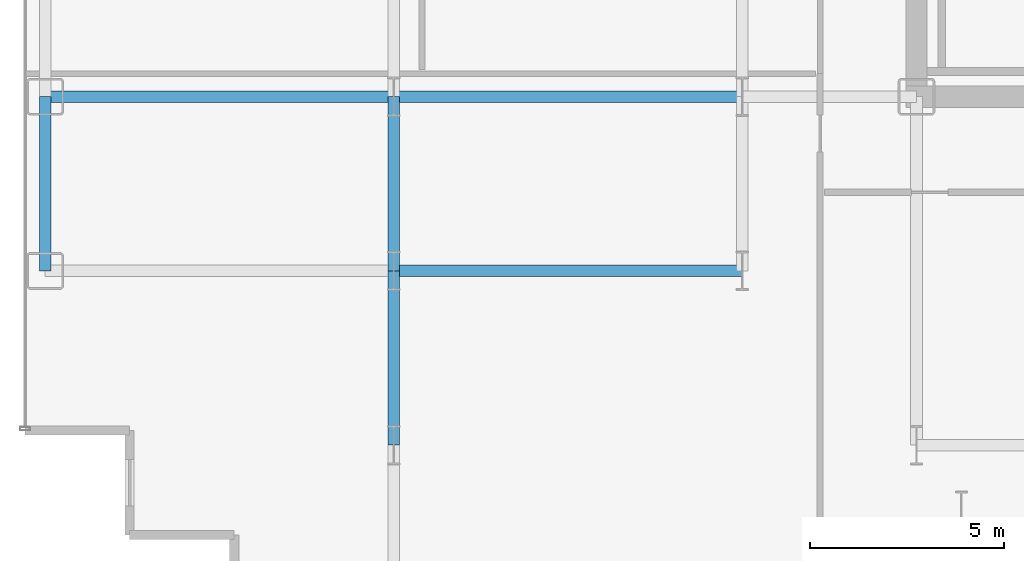
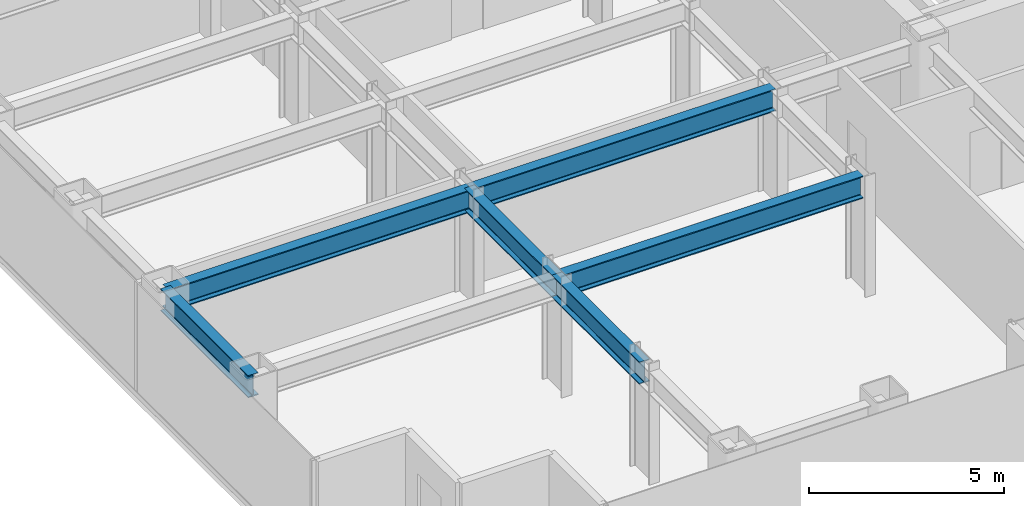
# One storey, part 3 of 25: 6 beams.
"""IFC4 building model written with IfcOpenShell, lengths in metres."""

from ifc_helpers import new_model, si_unit, direction, frame, origin, origin_2d, place, context, subcontext, project, spatial, i_section, extrude, source, transform, mapped, material, material_profile, profile_set, type_object, element, save


model = new_model("IFC4")

# Units and contexts
model_context = context("Model", 3, precision=1e-05, world=origin(), true_north=direction((0.0, 1.0)))
body_context = subcontext(model_context, "Body", "Model", "MODEL_VIEW")
ifc_project = project(units=[si_unit("LENGTHUNIT", "METRE"), si_unit("AREAUNIT", "SQUARE_METRE"), si_unit("VOLUMEUNIT", "CUBIC_METRE"), si_unit("PLANEANGLEUNIT", "RADIAN"), si_unit("MASSUNIT", "GRAM", prefix="KILO")], contexts=[model_context])

# Site, building, storey
site_placement = place(None, origin())
site = spatial("IfcSite", under=ifc_project, at=site_placement, CompositionType="ELEMENT")
building_placement = place(site_placement, origin())
building = spatial("IfcBuilding", under=site, at=building_placement, Name="Nefas-Gora Pilgrimage Tower", CompositionType="ELEMENT")
storey_placement = place(building_placement, frame((0.0, 0.0, 98.39990234375)))
storey = spatial("IfcBuildingStorey", under=building, at=storey_placement, Name="L23", CompositionType="ELEMENT", Elevation=98.39990234375)

# Beams
ifc_material = material(Name="Steel S355", Category="steel")
ifc_material_profile_1 = material_profile(ifc_material, i_section(OverallWidth=0.300048828125, OverallDepth=0.699951171875, WebThickness=0.01708984375, FlangeThickness=0.031982421875, FilletRadius=0.027099609375, at=origin_2d()), Name="HEB 700")
ifc_profile_set_1 = profile_set([ifc_material_profile_1], Name="Steel S355")
beam_type_1 = type_object("IfcBeamType", Name="BM-SPN-HEB600", PredefinedType="SPANDREL", material=ifc_profile_set_1)
shared_shape_1 = source(origin(), body_context, "Body", "SweptSolid", [
    extrude(i_section(OverallWidth=0.300048828125, OverallDepth=0.699951171875, WebThickness=0.01708984375, FlangeThickness=0.031982421875, FilletRadius=0.027099609375, at=origin_2d()), origin(), (0.0, 0.0, 1.0), 4.5),
])
beam_placement = place(storey_placement, frame((-33.75, -13.5, 3.2001953125), z_axis=(0.0, 1.0, 0.0), x_axis=(-1.0, 0.0, 0.0)))
element("IfcBeam", 1, at=beam_placement, inside=storey, type_object=beam_type_1, Name="L23 SP-01 beam", PredefinedType="SPANDREL", context=body_context, shape_type="MappedRepresentation", body=[
    mapped(shared_shape_1, transform((0.0, 0.0, 0.0), x_axis=(1.0, 0.0, 0.0), y_axis=(0.0, 1.0, 0.0), z_axis=(0.0, 0.0, 1.0), scale=1.0)),
])
ifc_material_profile_2 = material_profile(ifc_material, i_section(OverallWidth=0.300048828125, OverallDepth=0.699951171875, WebThickness=0.01708984375, FlangeThickness=0.031982421875, FilletRadius=0.027099609375, at=origin_2d()), Name="HEB 700")
ifc_profile_set_2 = profile_set([ifc_material_profile_2], Name="Steel S355")
beam_type_2 = type_object("IfcBeamType", Name="BM-GIR-HEB700", PredefinedType="BEAM", material=ifc_profile_set_2)
shared_shape_2 = source(origin(), body_context, "Body", "SweptSolid", [
    extrude(i_section(OverallWidth=0.300048828125, OverallDepth=0.699951171875, WebThickness=0.01708984375, FlangeThickness=0.031982421875, FilletRadius=0.027099609375, at=origin_2d()), origin(), (0.0, 0.0, 1.0), 9.0),
])
for number, where, z_axis, x_axis, name in (
    (2, (-33.75, -9.0, 3.2001953125), (1.0, 0.0, 0.0), (0.0, 1.0, 0.0), "L23 G-02 beam"),
    (3, (-24.75, -13.5, 3.2001953125), (1.0, 0.0, 0.0), (0.0, 1.0, 0.0), "L23 G-02 beam"),
    (4, (-24.75, -9.0, 3.2001953125), (1.0, 0.0, 0.0), (0.0, 1.0, 0.0), "L23 G-02 beam"),
):
    element("IfcBeam", number, at=place(storey_placement, frame(where, z_axis=z_axis, x_axis=x_axis)), inside=storey, type_object=beam_type_2, Name=name, PredefinedType="BEAM", context=body_context, shape_type="MappedRepresentation", body=[
        mapped(shared_shape_2, transform((0.0, 0.0, 0.0), x_axis=(1.0, 0.0, 0.0), y_axis=(0.0, 1.0, 0.0), z_axis=(0.0, 0.0, 1.0), scale=1.0)),
    ])
shared_shape_3 = source(origin(), body_context, "Body", "SweptSolid", [
    extrude(i_section(OverallWidth=0.300048828125, OverallDepth=0.699951171875, WebThickness=0.01708984375, FlangeThickness=0.031982421875, FilletRadius=0.027099609375, at=origin_2d()), origin(), (0.0, 0.0, 1.0), 4.5),
])
for number, where, z_axis, x_axis, name in (
    (5, (-24.75, -18.0, 3.2001953125), (0.0, 1.0, 0.0), (-1.0, 0.0, 0.0), "L23 G-02 beam"),
    (6, (-24.75, -13.5, 3.2001953125), (0.0, 1.0, 0.0), (-1.0, 0.0, 0.0), "L23 G-02 beam"),
):
    element("IfcBeam", number, at=place(storey_placement, frame(where, z_axis=z_axis, x_axis=x_axis)), inside=storey, type_object=beam_type_2, Name=name, PredefinedType="BEAM", context=body_context, shape_type="MappedRepresentation", body=[
        mapped(shared_shape_3, transform((0.0, 0.0, 0.0), x_axis=(1.0, 0.0, 0.0), y_axis=(0.0, 1.0, 0.0), z_axis=(0.0, 0.0, 1.0), scale=1.0)),
    ])

save(model, "model.ifc")
